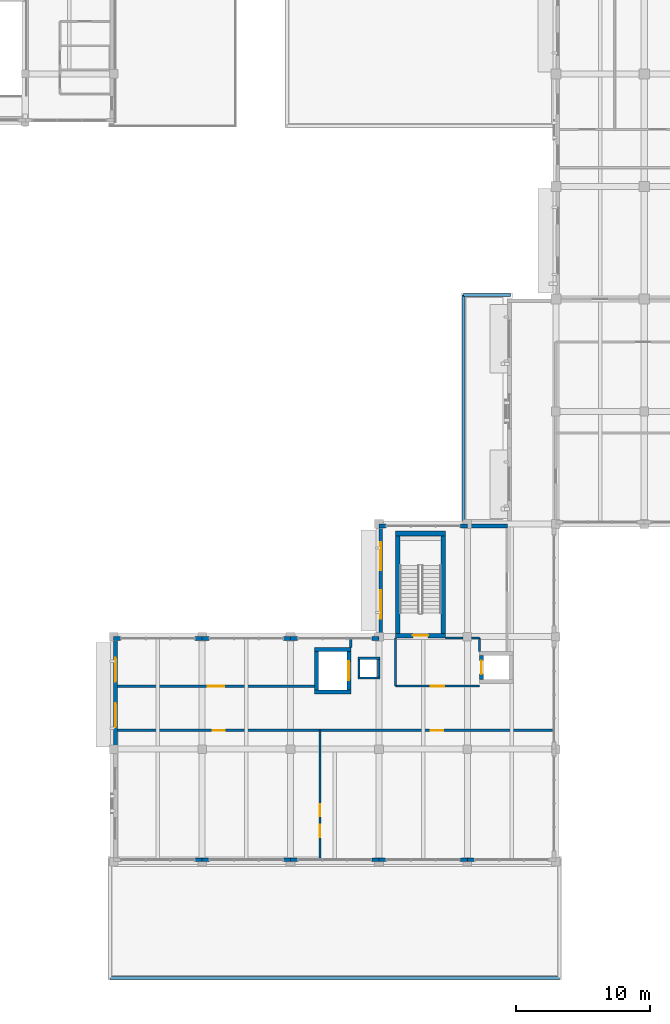
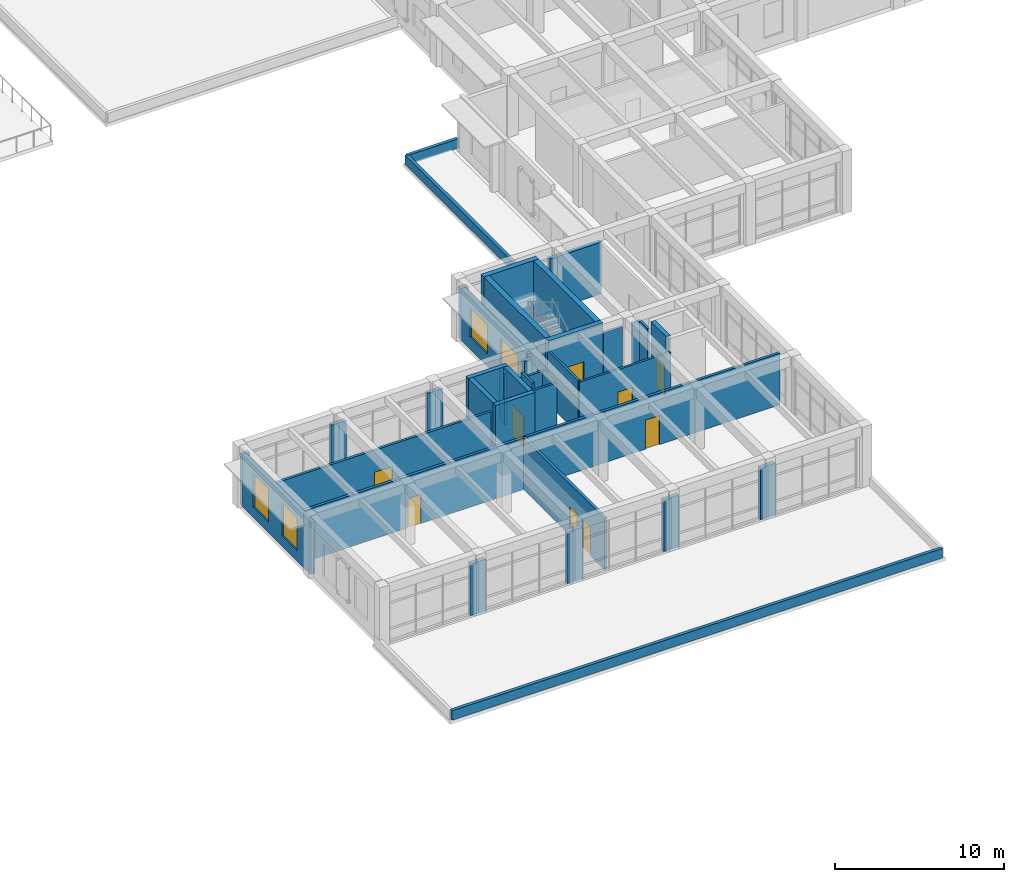
# One storey, part 29 of 50: 45 walls, 9 doors, 4 windows, 13 openings.
"""IFC4 building model written with IfcOpenShell, lengths in metres."""

import ifcopenshell
import ifcopenshell.guid

model = None  # the IFC model being written
_history = None  # IfcOwnerHistory: only IFC2X3 demands one
_inside = {}  # id of a spatial element -> (the spatial element, [elements in it])
_under = {}  # id of a project, library or spatial element -> (it, [spatial elements below it])
_declared = {}  # id of a project -> (the project, [libraries it declares])
_typed = {}  # id of a type object -> (the type object, [elements of that type])
_made_of = {}  # id of a material, layer set ... -> (it, [elements and type objects made of it])


def new_model(schema):
    """Start an empty IFC model of exactly this schema.

    Asked for "IFC4X3", IfcOpenShell would pick the latest addendum, in which some entities
    have other attributes; the version numbers below select the first issue.
    IFC2X3 requires an IfcOwnerHistory on every rooted entity: one is made here for all.
    """
    global model, _history
    if schema == "IFC4X3":
        model = ifcopenshell.file(schema_version=(4, 3, 0, 0))
    else:
        model = ifcopenshell.file(schema=schema)
    _inside.clear()
    _under.clear()
    _declared.clear()
    _typed.clear()
    _made_of.clear()
    _history = None
    if model.schema == "IFC2X3":
        org = make("IfcOrganization", Name="unknown")
        user = make(
            "IfcPersonAndOrganization",
            ThePerson=make("IfcPerson", FamilyName="unknown"),
            TheOrganization=org,
        )
        app = make(
            "IfcApplication",
            ApplicationDeveloper=org,
            Version="unknown",
            ApplicationFullName="unknown",
            ApplicationIdentifier="unknown",
        )
        _history = make(
            "IfcOwnerHistory",
            OwningUser=user,
            OwningApplication=app,
            ChangeAction="ADDED",
            CreationDate=0,
        )
    return model


def make(cls, **values):
    """One entity of the class cls with the attributes given. An attribute that is None is left unset."""
    return model.create_entity(
        cls, **{name: value for name, value in values.items() if value is not None}
    )


def rooted(cls, **values):
    """An entity with a GlobalId (a new one), such as an element, a storey or a relation."""
    return make(cls, GlobalId=ifcopenshell.guid.new(), OwnerHistory=_history, **values)


def si_unit(unit_type, name, prefix=None):
    """IfcSIUnit, for example si_unit("LENGTHUNIT", "METRE", prefix="MILLI")."""
    return make("IfcSIUnit", UnitType=unit_type, Prefix=prefix, Name=name)


def assignment(units):
    """IfcUnitAssignment: the units of a project."""
    return None if units is None else make("IfcUnitAssignment", Units=units)


def point(xyz):
    """IfcCartesianPoint."""
    return None if xyz is None else make("IfcCartesianPoint", Coordinates=xyz)


def direction(xyz):
    """IfcDirection."""
    return None if xyz is None else make("IfcDirection", DirectionRatios=xyz)


def frame(location, z_axis=None, x_axis=None):
    """IfcAxis2Placement3D, a coordinate frame: its origin and axes. An axis left out is left unset."""
    return make(
        "IfcAxis2Placement3D",
        Location=point(location),
        Axis=direction(z_axis),
        RefDirection=direction(x_axis),
    )


def frame_2d(location, x_axis=None):
    """IfcAxis2Placement2D, a coordinate frame in the plane: its origin and x axis."""
    return make(
        "IfcAxis2Placement2D", Location=point(location), RefDirection=direction(x_axis)
    )


def origin():
    """The frame at (0, 0, 0) with its axes left unset."""
    return frame((0.0, 0.0, 0.0))


def place(relative_to, where):
    """IfcLocalPlacement: puts the frame where relative to a parent placement (None: the world)."""
    return make(
        "IfcLocalPlacement", PlacementRelTo=relative_to, RelativePlacement=where
    )


def context(
    kind, dimensions, precision=None, world=None, true_north=None, identifier=None
):
    """IfcGeometricRepresentationContext, for example the 3D "Model" context."""
    return make(
        "IfcGeometricRepresentationContext",
        ContextIdentifier=identifier,
        ContextType=kind,
        CoordinateSpaceDimension=dimensions,
        Precision=precision,
        WorldCoordinateSystem=world,
        TrueNorth=true_north,
    )


def subcontext(parent, identifier, kind, view, scale=None):
    """IfcGeometricRepresentationSubContext, for example "Body" below "Model"."""
    return make(
        "IfcGeometricRepresentationSubContext",
        ContextIdentifier=identifier,
        ContextType=kind,
        ParentContext=parent,
        TargetScale=scale,
        TargetView=view,
    )


def project(units=None, contexts=None):
    """IfcProject with its units and contexts."""
    return rooted(
        "IfcProject",
        Name="project",
        RepresentationContexts=contexts,
        UnitsInContext=assignment(units),
    )


def spatial(cls, under=None, at=None, **own):
    """A site, building, storey or space (cls), placed at a placement, below another one or the project."""
    s = rooted(cls, ObjectPlacement=at, **own)
    if under is not None:
        _under.setdefault(under.id(), (under, []))[1].append(s)
    return s


def profile(cls, at=None, kind="AREA", **sizes):
    """A parametric profile (cls). Its sizes go by their IFC names, for example OverallWidth=200.0."""
    return make(cls, ProfileType=kind, Position=at, **sizes)


def rectangle(**sizes):
    """IfcRectangleProfileDef."""
    return profile("IfcRectangleProfileDef", **sizes)


def extrude(swept, where, along, depth):
    """IfcExtrudedAreaSolid: the profile swept, set in the frame where, extruded along a direction by depth."""
    return make(
        "IfcExtrudedAreaSolid",
        SweptArea=swept,
        Position=where,
        ExtrudedDirection=direction(along),
        Depth=depth,
    )


def shape(context_of_items, identifier, shape_type, items):
    """IfcShapeRepresentation: the items that make up one representation, for example the "Body"."""
    return make(
        "IfcShapeRepresentation",
        ContextOfItems=context_of_items,
        RepresentationIdentifier=identifier,
        RepresentationType=shape_type,
        Items=items,
    )


def material(Name=None, Category=None):
    """IfcMaterial."""
    return make("IfcMaterial", Name=Name, Category=Category)


def layer(
    of_material, thickness, ventilated=None, Name=None, Category=None, Priority=None
):
    """IfcMaterialLayer: one layer of a wall or slab, of a material (None: an air gap)."""
    return make(
        "IfcMaterialLayer",
        Material=of_material,
        LayerThickness=thickness,
        IsVentilated=ventilated,
        Name=Name,
        Category=Category,
        Priority=Priority,
    )


def layer_set(layers, Name=None):
    """IfcMaterialLayerSet."""
    return make("IfcMaterialLayerSet", MaterialLayers=layers, LayerSetName=Name)


def made_of(thing, what):
    """Note that an element or type object is made of a material, layer set ...; save() writes the relation."""
    if what is not None:
        _made_of.setdefault(what.id(), (what, []))[1].append(thing)
    return thing


def type_object(cls, material=None, **own):
    """A type object (cls), such as IfcWallType, which elements share."""
    return made_of(rooted(cls, **own), material)


def element(
    cls,
    number,
    at=None,
    inside=None,
    cuts=None,
    type_object=None,
    material=None,
    context=None,
    identifier="Body",
    shape_type=None,
    held_by="IfcProductDefinitionShape",
    body=None,
    shapes=None,
    **own,
):
    """One element of the class cls, such as IfcWall. Its Tag is "e" and its number.

    at: its placement. inside: the storey or other place that contains it. cuts: it is an
    opening in that element (IfcRelVoidsElement). A single representation is given by context,
    identifier, shape_type and body (its items); several are given by shapes. held_by: the class
    of the entity that holds the representations. save() writes the other relations.
    """
    e = rooted(cls, Tag="e%d" % number, ObjectPlacement=at, **own)
    if body is not None:
        shapes = [shape(context, identifier, shape_type, body)]
    if shapes is not None:
        e.Representation = make(held_by, Representations=shapes)
    if inside is not None:
        _inside.setdefault(inside.id(), (inside, []))[1].append(e)
    if cuts is not None:
        rooted(
            "IfcRelVoidsElement", RelatingBuildingElement=cuts, RelatedOpeningElement=e
        )
    if type_object is not None:
        _typed.setdefault(type_object.id(), (type_object, []))[1].append(e)
    return made_of(e, material)


def fill(opening, filler):
    """IfcRelFillsElement: the door or window that sits in an opening."""
    return rooted(
        "IfcRelFillsElement",
        RelatingOpeningElement=opening,
        RelatedBuildingElement=filler,
    )


def aggregate(whole, parts):
    """IfcRelAggregates: a whole, such as a stair, and the parts it consists of."""
    return rooted("IfcRelAggregates", RelatingObject=whole, RelatedObjects=parts)


def save(model, path):
    """Write the relations noted so far, then the file.

    IfcRelAggregates (storeys below a building ...), IfcRelContainedInSpatialStructure (elements
    in a storey), IfcRelDefinesByType, IfcRelAssociatesMaterial and IfcRelDeclares: one each for
    every whole, place, type object, material and project.
    """
    for whole, parts in _under.values():
        aggregate(whole, parts)
    for where, things in _inside.values():
        rooted(
            "IfcRelContainedInSpatialStructure",
            RelatedElements=things,
            RelatingStructure=where,
        )
    for kind, things in _typed.values():
        rooted("IfcRelDefinesByType", RelatedObjects=things, RelatingType=kind)
    for what, things in _made_of.values():
        rooted("IfcRelAssociatesMaterial", RelatedObjects=things, RelatingMaterial=what)
    for by, libraries in _declared.values():
        rooted("IfcRelDeclares", RelatingContext=by, RelatedDefinitions=libraries)
    model.write(path)


model = new_model("IFC4")

# Units and contexts
model_context = context("Model", 3, precision=1e-05, world=origin(), true_north=direction((0.0, 1.0)))
body_context = subcontext(model_context, "Body", "Model", "MODEL_VIEW")
ifc_project = project(units=[si_unit("LENGTHUNIT", "METRE"), si_unit("AREAUNIT", "SQUARE_METRE"), si_unit("VOLUMEUNIT", "CUBIC_METRE"), si_unit("PLANEANGLEUNIT", "RADIAN"), si_unit("MASSUNIT", "GRAM", prefix="KILO")], contexts=[model_context])

# Site, building, storey
site_placement = place(None, origin())
site = spatial("IfcSite", under=ifc_project, at=site_placement, CompositionType="ELEMENT")
building_placement = place(site_placement, origin())
building = spatial("IfcBuilding", under=site, at=building_placement, Name="Kolvaren Faculty of Natural Sciences", CompositionType="ELEMENT")
storey_placement = place(building_placement, frame((0.0, 0.0, 15.0)))
storey = spatial("IfcBuildingStorey", under=building, at=storey_placement, Name="L03", CompositionType="ELEMENT", Elevation=15.0)

# Wall, opening, door
ifc_material_1 = material(Name="Concrete C40/50", Category="concrete")
ifc_layer_1 = layer(ifc_material_1, 0.35009765625)
ifc_layer_set_1 = layer_set([ifc_layer_1], Name="Concrete C40/50")
wall_type_1 = type_object("IfcWallType", Name="CoreShearWall_350", PredefinedType="SHEAR", material=ifc_layer_set_1)
wall_1_placement = place(storey_placement, frame((126.824951171875, 33.875, 0.0), z_axis=(0.0, 0.0, 1.0), x_axis=(1.0, 0.0, 0.0)))
wall_1 = element("IfcWall", 1, at=wall_1_placement, inside=storey, type_object=wall_type_1, Name="L03 CORE-C3 stair shear wall S", PredefinedType="SHEAR", context=body_context, shape_type="SweptSolid", body=[
    extrude(rectangle(XDim=3.75, YDim=0.35009765625, at=frame_2d((1.875, 0.0))), origin(), (0.0, 0.0, 1.0), 4.5),
])
opening_1_placement = place(wall_1_placement, frame((1.300048828125, 0.0, 0.0)))
opening_1 = element("IfcOpeningElement", 2, at=opening_1_placement, cuts=wall_1, Name="Opening FD90", PredefinedType="OPENING", context=body_context, shape_type="SweptSolid", body=[
    extrude(rectangle(XDim=1.14990234375, YDim=2.14990234375, at=frame_2d((0.574951171875, 1.074951171875))), frame((0.0, 0.18505859375, 0.0), z_axis=(0.0, -1.0, 0.0), x_axis=(1.0, 0.0, 0.0)), (0.0, 0.0, 1.0), 0.3701171875),
])
ifc_material_2 = material(Name="Fire-rated solid-core hardwood door leaf in steel frame", Category="steel")
door_type_1 = type_object("IfcDoorType", Name="StairCoreFireDoor_1150x2150", OperationType="NOTDEFINED", PredefinedType="DOOR", material=ifc_material_2)
door_1_placement = place(opening_1_placement, origin())
door_1 = element("IfcDoor", 3, at=door_1_placement, inside=storey, type_object=door_type_1, Name="D-ST-ST-3-L03", OperationType="SINGLE_SWING_LEFT", OverallHeight=2.14990234375, OverallWidth=1.14990234375, PredefinedType="DOOR", context=body_context, shape_type="SweptSolid", body=[
    extrude(rectangle(XDim=1.14990234375, YDim=2.14990234375, at=frame_2d((0.574951171875, 1.074951171875))), frame((0.0, 0.02490234375, 0.0), z_axis=(0.0, -1.0, 0.0), x_axis=(1.0, 0.0, 0.0)), (0.0, 0.0, 1.0), 0.050048828125),
])
fill(opening_1, door_1)

# Walls
wall_2_placement = place(storey_placement, frame((126.824951171875, 41.5, 0.0), z_axis=(0.0, 0.0, 1.0), x_axis=(1.0, 0.0, 0.0)))
element("IfcWall", 4, at=wall_2_placement, inside=storey, type_object=wall_type_1, Name="L03 CORE-C3 stair shear wall N", PredefinedType="SHEAR", context=body_context, shape_type="SweptSolid", body=[
    extrude(rectangle(XDim=3.75, YDim=0.35009765625, at=frame_2d((1.875, 0.0))), origin(), (0.0, 0.0, 1.0), 4.5),
])
for number, where, z_axis, x_axis, name in (
    (5, (127.0, 34.050048828125, 0.0), (0.0, 0.0, 1.0), (0.0, 1.0, 0.0), "L03 CORE-C3 stair shear wall W"),
    (6, (130.39990234375, 34.050048828125, 0.0), (0.0, 0.0, 1.0), (0.0, 1.0, 0.0), "L03 CORE-C3 stair shear wall E"),
):
    element("IfcWall", number, at=place(storey_placement, frame(where, z_axis=z_axis, x_axis=x_axis)), inside=storey, type_object=wall_type_1, Name=name, PredefinedType="SHEAR", context=body_context, shape_type="SweptSolid", body=[
        extrude(rectangle(XDim=7.27490234375, YDim=0.35009765625, at=frame_2d((3.637451171875, 0.0))), origin(), (0.0, 0.0, 1.0), 4.5),
    ])

# Wall, openings, windows
ifc_material_3 = material(Name="Precast concrete C35/45", Category="concrete")
ifc_layer_2 = layer(ifc_material_3, 0.280029296875)
ifc_layer_set_2 = layer_set([ifc_layer_2], Name="Precast concrete C35/45")
wall_type_2 = type_object("IfcWallType", Name="ExteriorPrecastWall_280", PredefinedType="STANDARD", material=ifc_layer_set_2)
wall_3_placement = place(storey_placement, frame((125.739990234375, 34.080078125, 0.0), z_axis=(0.0, 0.0, 1.0), x_axis=(0.0, 1.0, 0.0)))
wall_3 = element("IfcWall", 7, at=wall_3_placement, inside=storey, type_object=wall_type_2, Name="L03 exterior masonry wall EW-280 (498)", PredefinedType="STANDARD", context=body_context, shape_type="SweptSolid", body=[
    extrude(rectangle(XDim=7.83984375, YDim=0.280029296875, at=frame_2d((3.919921875, 0.0))), origin(), (0.0, 0.0, 1.0), 3.735107421875),
])
opening_2_placement = place(wall_3_placement, frame((1.06689453125, 0.0, 0.89990234375)))
opening_2 = element("IfcOpeningElement", 8, at=opening_2_placement, cuts=wall_3, Name="Opening WIN-07", PredefinedType="OPENING", context=body_context, shape_type="SweptSolid", body=[
    extrude(rectangle(XDim=2.10009765625, YDim=2.10009765625, at=frame_2d((1.050048828125, 1.050048828125))), frame((0.0, 0.14990234375, 0.0), z_axis=(0.0, -1.0, 0.0), x_axis=(1.0, 0.0, 0.0)), (0.0, 0.0, 1.0), 0.300048828125),
])
opening_3_placement = place(wall_3_placement, frame((4.673095703125, 0.0, 0.89990234375)))
opening_3 = element("IfcOpeningElement", 9, at=opening_3_placement, cuts=wall_3, Name="Opening WIN-07", PredefinedType="OPENING", context=body_context, shape_type="SweptSolid", body=[
    extrude(rectangle(XDim=2.10009765625, YDim=2.10009765625, at=frame_2d((1.050048828125, 1.050048828125))), frame((0.0, 0.14990234375, 0.0), z_axis=(0.0, -1.0, 0.0), x_axis=(1.0, 0.0, 0.0)), (0.0, 0.0, 1.0), 0.300048828125),
])
ifc_material_4 = material(Name="Double low-E solar control insulated glazing", Category="glass")
window_type_1 = type_object("IfcWindowType", Name="AluWindow_WIN07_2100x2100", PartitioningType="SINGLE_PANEL", PredefinedType="WINDOW", material=ifc_material_4)
window_1_placement = place(opening_2_placement, origin())
window_1 = element("IfcWindow", 10, at=window_1_placement, inside=storey, type_object=window_type_1, Name="WIN-L03-0318", OverallHeight=2.10009765625, OverallWidth=2.10009765625, PartitioningType="SINGLE_PANEL", PredefinedType="WINDOW", context=body_context, shape_type="SweptSolid", body=[
    extrude(rectangle(XDim=2.10009765625, YDim=2.10009765625, at=frame_2d((1.050048828125, 1.050048828125))), frame((0.0, 0.030029296875, 0.0), z_axis=(0.0, -1.0, 0.0), x_axis=(1.0, 0.0, 0.0)), (0.0, 0.0, 1.0), 0.06005859375),
])
fill(opening_2, window_1)
window_2_placement = place(opening_3_placement, origin())
window_2 = element("IfcWindow", 11, at=window_2_placement, inside=storey, type_object=window_type_1, Name="WIN-L03-0319", OverallHeight=2.10009765625, OverallWidth=2.10009765625, PartitioningType="SINGLE_PANEL", PredefinedType="WINDOW", context=body_context, shape_type="SweptSolid", body=[
    extrude(rectangle(XDim=2.10009765625, YDim=2.10009765625, at=frame_2d((1.050048828125, 1.050048828125))), frame((0.0, 0.030029296875, 0.0), z_axis=(0.0, -1.0, 0.0), x_axis=(1.0, 0.0, 0.0)), (0.0, 0.0, 1.0), 0.06005859375),
])
fill(opening_3, window_2)

# Walls
for number, where, z_axis, x_axis, name in (
    (12, (125.60009765625, 42.06005859375, 0.0), (0.0, 0.0, 1.0), (1.0, 0.0, 0.0), "L03 curtain-wall pier stub 499"),
    (13, (131.679931640625, 42.06005859375, 0.0), (0.0, 0.0, 1.0), (1.0, 0.0, 0.0), "L03 curtain-wall pier stub 500"),
):
    element("IfcWall", number, at=place(storey_placement, frame(where, z_axis=z_axis, x_axis=x_axis)), inside=storey, type_object=wall_type_2, Name=name, PredefinedType="STANDARD", context=body_context, shape_type="SweptSolid", body=[
        extrude(rectangle(XDim=0.52001953125, YDim=0.280029296875, at=frame_2d((0.260009765625, 0.0))), origin(), (0.0, 0.0, 1.0), 3.735107421875),
    ])
wall_4_placement = place(storey_placement, frame((132.199951171875, 42.06005859375, 0.0), z_axis=(0.0, 0.0, 1.0), x_axis=(1.0, 0.0, 0.0)))
element("IfcWall", 14, at=wall_4_placement, inside=storey, type_object=wall_type_2, Name="L03 exterior masonry wall EW-280 (501)", PredefinedType="STANDARD", context=body_context, shape_type="SweptSolid", body=[
    extrude(rectangle(XDim=3.0, YDim=0.280029296875, at=frame_2d((1.5, 0.0))), origin(), (0.0, 0.0, 1.0), 3.735107421875),
])
for number, where, z_axis, x_axis, name in (
    (15, (132.719970703125, 17.139892578125, 0.0), (0.0, 0.0, 1.0), (-1.0, 0.0, 0.0), "L03 curtain-wall pier stub 542"),
    (16, (132.199951171875, 17.139892578125, 0.0), (0.0, 0.0, 1.0), (-1.0, 0.0, 0.0), "L03 curtain-wall pier stub 543"),
    (17, (126.1201171875, 17.139892578125, 0.0), (0.0, 0.0, 1.0), (-1.0, 0.0, 0.0), "L03 curtain-wall pier stub 544"),
    (18, (125.60009765625, 17.139892578125, 0.0), (0.0, 0.0, 1.0), (-1.0, 0.0, 0.0), "L03 curtain-wall pier stub 545"),
    (19, (119.52001953125, 17.139892578125, 0.0), (0.0, 0.0, 1.0), (-1.0, 0.0, 0.0), "L03 curtain-wall pier stub 546"),
    (20, (119.0, 17.139892578125, 0.0), (0.0, 0.0, 1.0), (-1.0, 0.0, 0.0), "L03 curtain-wall pier stub 547"),
    (21, (112.919921875, 17.139892578125, 0.0), (0.0, 0.0, 1.0), (-1.0, 0.0, 0.0), "L03 curtain-wall pier stub 548"),
    (22, (112.39990234375, 17.139892578125, 0.0), (0.0, 0.0, 1.0), (-1.0, 0.0, 0.0), "L03 curtain-wall pier stub 549"),
):
    element("IfcWall", number, at=place(storey_placement, frame(where, z_axis=z_axis, x_axis=x_axis)), inside=storey, type_object=wall_type_2, Name=name, PredefinedType="STANDARD", context=body_context, shape_type="SweptSolid", body=[
        extrude(rectangle(XDim=0.52001953125, YDim=0.280029296875, at=frame_2d((0.260009765625, 0.0))), origin(), (0.0, 0.0, 1.0), 3.735107421875),
    ])

# Wall, openings, windows
wall_5_placement = place(storey_placement, frame((105.93994140625, 25.39990234375, 0.0), z_axis=(0.0, 0.0, 1.0), x_axis=(0.0, 1.0, 0.0)))
wall_5 = element("IfcWall", 23, at=wall_5_placement, inside=storey, type_object=wall_type_2, Name="L03 exterior masonry wall EW-280 (552)", PredefinedType="STANDARD", context=body_context, shape_type="SweptSolid", body=[
    extrude(rectangle(XDim=8.1201171875, YDim=0.280029296875, at=frame_2d((4.06005859375, 0.0))), origin(), (0.0, 0.0, 1.0), 3.784912109375),
])
opening_4_placement = place(wall_5_placement, frame((1.639892578125, 0.0, 0.75)))
opening_4 = element("IfcOpeningElement", 24, at=opening_4_placement, cuts=wall_5, Name="Opening WIN-21", PredefinedType="OPENING", context=body_context, shape_type="SweptSolid", body=[
    extrude(rectangle(XDim=1.800048828125, YDim=2.39990234375, at=frame_2d((0.89990234375, 1.199951171875))), frame((0.0, 0.14990234375, 0.0), z_axis=(0.0, -1.0, 0.0), x_axis=(1.0, 0.0, 0.0)), (0.0, 0.0, 1.0), 0.300048828125),
])
opening_5_placement = place(wall_5_placement, frame((5.027587890625, 0.0, 0.75)))
opening_5 = element("IfcOpeningElement", 25, at=opening_5_placement, cuts=wall_5, Name="Opening WIN-21", PredefinedType="OPENING", context=body_context, shape_type="SweptSolid", body=[
    extrude(rectangle(XDim=1.800048828125, YDim=2.39990234375, at=frame_2d((0.89990234375, 1.199951171875))), frame((0.0, 0.14990234375, 0.0), z_axis=(0.0, -1.0, 0.0), x_axis=(1.0, 0.0, 0.0)), (0.0, 0.0, 1.0), 0.300048828125),
])
window_type_2 = type_object("IfcWindowType", Name="AluWindow_WIN21_1800x2400", PartitioningType="SINGLE_PANEL", PredefinedType="WINDOW", material=ifc_material_4)
window_3_placement = place(opening_4_placement, origin())
window_3 = element("IfcWindow", 26, at=window_3_placement, inside=storey, type_object=window_type_2, Name="WIN-L03-0336", OverallHeight=2.39990234375, OverallWidth=1.800048828125, PartitioningType="SINGLE_PANEL", PredefinedType="WINDOW", context=body_context, shape_type="SweptSolid", body=[
    extrude(rectangle(XDim=1.800048828125, YDim=2.39990234375, at=frame_2d((0.89990234375, 1.199951171875))), frame((0.0, 0.030029296875, 0.0), z_axis=(0.0, -1.0, 0.0), x_axis=(1.0, 0.0, 0.0)), (0.0, 0.0, 1.0), 0.06005859375),
])
fill(opening_4, window_3)
window_4_placement = place(opening_5_placement, origin())
window_4 = element("IfcWindow", 27, at=window_4_placement, inside=storey, type_object=window_type_2, Name="WIN-L03-0337", OverallHeight=2.39990234375, OverallWidth=1.800048828125, PartitioningType="SINGLE_PANEL", PredefinedType="WINDOW", context=body_context, shape_type="SweptSolid", body=[
    extrude(rectangle(XDim=1.800048828125, YDim=2.39990234375, at=frame_2d((0.89990234375, 1.199951171875))), frame((0.0, 0.030029296875, 0.0), z_axis=(0.0, -1.0, 0.0), x_axis=(1.0, 0.0, 0.0)), (0.0, 0.0, 1.0), 0.06005859375),
])
fill(opening_5, window_4)

# Walls
for number, where, z_axis, x_axis, name in (
    (28, (105.800048828125, 33.659912109375, 0.0), (0.0, 0.0, 1.0), (1.0, 0.0, 0.0), "L03 curtain-wall pier stub 553"),
    (29, (111.8798828125, 33.659912109375, 0.0), (0.0, 0.0, 1.0), (1.0, 0.0, 0.0), "L03 curtain-wall pier stub 554"),
    (30, (112.39990234375, 33.659912109375, 0.0), (0.0, 0.0, 1.0), (1.0, 0.0, 0.0), "L03 curtain-wall pier stub 555"),
    (31, (118.47998046875, 33.659912109375, 0.0), (0.0, 0.0, 1.0), (1.0, 0.0, 0.0), "L03 curtain-wall pier stub 556"),
    (32, (119.0, 33.659912109375, 0.0), (0.0, 0.0, 1.0), (1.0, 0.0, 0.0), "L03 curtain-wall pier stub 557"),
    (33, (125.080078125, 33.659912109375, 0.0), (0.0, 0.0, 1.0), (1.0, 0.0, 0.0), "L03 curtain-wall pier stub 558"),
):
    element("IfcWall", number, at=place(storey_placement, frame(where, z_axis=z_axis, x_axis=x_axis)), inside=storey, type_object=wall_type_2, Name=name, PredefinedType="STANDARD", context=body_context, shape_type="SweptSolid", body=[
        extrude(rectangle(XDim=0.52001953125, YDim=0.280029296875, at=frame_2d((0.260009765625, 0.0))), origin(), (0.0, 0.0, 1.0), 3.735107421875),
    ])

# Wall, opening, door
ifc_material_5 = material(Name="Acoustic mineral-wool insulated gypsum partition")
ifc_layer_3 = layer(ifc_material_5, 0.179931640625)
ifc_layer_set_3 = layer_set([ifc_layer_3], Name="Acoustic mineral-wool insulated gypsum partition")
wall_type_3 = type_object("IfcWallType", Name="LabPartitionWall_180", PredefinedType="PARTITIONING", material=ifc_layer_set_3)
wall_6_placement = place(storey_placement, frame((121.199951171875, 26.800048828125, 0.0), z_axis=(0.0, 0.0, 1.0), x_axis=(1.0, 0.0, 0.0)))
wall_6 = element("IfcWall", 34, at=wall_6_placement, inside=storey, type_object=wall_type_3, Name="L03 interior partition PW-180", PredefinedType="PARTITIONING", context=body_context, shape_type="SweptSolid", body=[
    extrude(rectangle(XDim=17.43994140625, YDim=0.179931640625, at=frame_2d((8.719970703125, 0.0))), origin(), (0.0, 0.0, 1.0), 3.735107421875),
])
opening_6_placement = place(wall_6_placement, frame((8.2548828125, 0.0, 0.0)))
opening_6 = element("IfcOpeningElement", 35, at=opening_6_placement, cuts=wall_6, Name="Opening ID-13", PredefinedType="OPENING", context=body_context, shape_type="SweptSolid", body=[
    extrude(rectangle(XDim=0.929931640625, YDim=2.10009765625, at=frame_2d((0.46484375, 1.050048828125))), frame((0.0, 0.099853515625, 0.0), z_axis=(0.0, -1.0, 0.0), x_axis=(1.0, 0.0, 0.0)), (0.0, 0.0, 1.0), 0.199951171875),
])
ifc_material_6 = material(Name="Solid-core hardwood veneer door leaf in steel frame", Category="steel")
door_type_2 = type_object("IfcDoorType", Name="InteriorRoomDoor_930x2100", OperationType="NOTDEFINED", PredefinedType="DOOR", material=ifc_material_6)
door_2_placement = place(opening_6_placement, origin())
door_2 = element("IfcDoor", 36, at=door_2_placement, inside=storey, type_object=door_type_2, Name="D-L03-0246", OperationType="SINGLE_SWING_LEFT", OverallHeight=2.10009765625, OverallWidth=0.929931640625, PredefinedType="DOOR", context=body_context, shape_type="SweptSolid", body=[
    extrude(rectangle(XDim=0.929931640625, YDim=2.10009765625, at=frame_2d((0.46484375, 1.050048828125))), frame((0.0, 0.02490234375, 0.0), z_axis=(0.0, -1.0, 0.0), x_axis=(1.0, 0.0, 0.0)), (0.0, 0.0, 1.0), 0.050048828125),
])
fill(opening_6, door_2)

ifc_layer_4 = layer(ifc_material_5, 0.18505859375)
ifc_layer_set_4 = layer_set([ifc_layer_4], Name="Acoustic mineral-wool insulated gypsum partition")
wall_type_4 = type_object("IfcWallType", Name="LabPartitionWall_185", PredefinedType="PARTITIONING", material=ifc_layer_set_4)
wall_7_placement = place(storey_placement, frame((106.08203125, 26.800048828125, 0.0), z_axis=(0.0, 0.0, 1.0), x_axis=(1.0, 0.0, 0.0)))
wall_7 = element("IfcWall", 37, at=wall_7_placement, inside=storey, type_object=wall_type_4, Name="L03 interior partition PW-185", PredefinedType="PARTITIONING", context=body_context, shape_type="SweptSolid", body=[
    extrude(rectangle(XDim=15.117919921875, YDim=0.18505859375, at=frame_2d((7.55908203125, 0.0))), origin(), (0.0, 0.0, 1.0), 3.735107421875),
])
opening_7_placement = place(wall_7_placement, frame((7.10888671875, 0.0, 0.0)))
opening_7 = element("IfcOpeningElement", 38, at=opening_7_placement, cuts=wall_7, Name="Opening ID-12", PredefinedType="OPENING", context=body_context, shape_type="SweptSolid", body=[
    extrude(rectangle(XDim=0.89990234375, YDim=2.10009765625, at=frame_2d((0.449951171875, 1.050048828125))), frame((0.0, 0.1025390625, 0.0), z_axis=(0.0, -1.0, 0.0), x_axis=(1.0, 0.0, 0.0)), (0.0, 0.0, 1.0), 0.205078125),
])
door_type_3 = type_object("IfcDoorType", Name="InteriorRoomDoor_900x2100", OperationType="NOTDEFINED", PredefinedType="DOOR", material=ifc_material_6)
door_3_placement = place(opening_7_placement, origin())
door_3 = element("IfcDoor", 39, at=door_3_placement, inside=storey, type_object=door_type_3, Name="D-L03-0244", OperationType="SINGLE_SWING_LEFT", OverallHeight=2.10009765625, OverallWidth=0.89990234375, PredefinedType="DOOR", context=body_context, shape_type="SweptSolid", body=[
    extrude(rectangle(XDim=0.89990234375, YDim=2.10009765625, at=frame_2d((0.449951171875, 1.050048828125))), frame((0.0, 0.02490234375, 0.0), z_axis=(0.0, -1.0, 0.0), x_axis=(1.0, 0.0, 0.0)), (0.0, 0.0, 1.0), 0.050048828125),
])
fill(opening_7, door_3)

# Wall, openings, doors
wall_8_placement = place(storey_placement, frame((121.199951171875, 26.800048828125, 0.0), z_axis=(0.0, 0.0, 1.0), x_axis=(0.0, -1.0, 0.0)))
wall_8 = element("IfcWall", 40, at=wall_8_placement, inside=storey, type_object=wall_type_4, Name="L03 interior partition PW-185", PredefinedType="PARTITIONING", context=body_context, shape_type="SweptSolid", body=[
    extrude(rectangle(XDim=9.64013671875, YDim=0.18505859375, at=frame_2d((4.820068359375, 0.0))), origin(), (0.0, 0.0, 1.0), 3.735107421875),
])
opening_8_placement = place(wall_8_placement, frame((5.52685546875, 0.0, 0.0)))
opening_8 = element("IfcOpeningElement", 41, at=opening_8_placement, cuts=wall_8, Name="Opening ID-12", PredefinedType="OPENING", context=body_context, shape_type="SweptSolid", body=[
    extrude(rectangle(XDim=0.89990234375, YDim=2.10009765625, at=frame_2d((0.449951171875, 1.050048828125))), frame((0.0, 0.1025390625, 0.0), z_axis=(0.0, -1.0, 0.0), x_axis=(1.0, 0.0, 0.0)), (0.0, 0.0, 1.0), 0.205078125),
])
opening_9_placement = place(wall_8_placement, frame((7.05419921875, 0.0, 0.0)))
opening_9 = element("IfcOpeningElement", 42, at=opening_9_placement, cuts=wall_8, Name="Opening ID-13", PredefinedType="OPENING", context=body_context, shape_type="SweptSolid", body=[
    extrude(rectangle(XDim=0.929931640625, YDim=2.10009765625, at=frame_2d((0.46484375, 1.050048828125))), frame((0.0, 0.1025390625, 0.0), z_axis=(0.0, -1.0, 0.0), x_axis=(1.0, 0.0, 0.0)), (0.0, 0.0, 1.0), 0.205078125),
])
door_4_placement = place(opening_8_placement, origin())
door_4 = element("IfcDoor", 43, at=door_4_placement, inside=storey, type_object=door_type_3, Name="D-L03-0245", OperationType="SINGLE_SWING_RIGHT", OverallHeight=2.10009765625, OverallWidth=0.89990234375, PredefinedType="DOOR", context=body_context, shape_type="SweptSolid", body=[
    extrude(rectangle(XDim=0.89990234375, YDim=2.10009765625, at=frame_2d((0.449951171875, 1.050048828125))), frame((0.0, 0.02490234375, 0.0), z_axis=(0.0, -1.0, 0.0), x_axis=(1.0, 0.0, 0.0)), (0.0, 0.0, 1.0), 0.050048828125),
])
fill(opening_8, door_4)
door_5_placement = place(opening_9_placement, origin())
door_5 = element("IfcDoor", 44, at=door_5_placement, inside=storey, type_object=door_type_2, Name="D-L03-0247", OperationType="SINGLE_SWING_RIGHT", OverallHeight=2.10009765625, OverallWidth=0.929931640625, PredefinedType="DOOR", context=body_context, shape_type="SweptSolid", body=[
    extrude(rectangle(XDim=0.929931640625, YDim=2.10009765625, at=frame_2d((0.46484375, 1.050048828125))), frame((0.0, 0.02490234375, 0.0), z_axis=(0.0, -1.0, 0.0), x_axis=(1.0, 0.0, 0.0)), (0.0, 0.0, 1.0), 0.050048828125),
])
fill(opening_9, door_5)

# Walls
ifc_layer_5 = layer(ifc_material_3, 0.219970703125)
ifc_layer_set_5 = layer_set([ifc_layer_5], Name="Precast concrete C35/45")
wall_type_5 = type_object("IfcWallType", Name="ParapetUpstandWall_220", PredefinedType="PARAPET", material=ifc_layer_set_5)
wall_9_placement = place(storey_placement, frame((139.080078125, 8.320068359375, 0.0), z_axis=(0.0, 0.0, 1.0), x_axis=(-1.0, 0.0, 0.0)))
element("IfcWall", 45, at=wall_9_placement, inside=storey, type_object=wall_type_5, Name="L03 architectural sandstone roof parapet 39", PredefinedType="PARAPET", context=body_context, shape_type="SweptSolid", body=[
    extrude(rectangle(XDim=33.56005859375, YDim=0.219970703125, at=frame_2d((16.780029296875, 0.0))), origin(), (0.0, 0.0, 1.0), 0.679931640625),
])
wall_10_placement = place(storey_placement, frame((131.919921875, 42.449951171875, 0.0), z_axis=(0.0, 0.0, 1.0), x_axis=(0.0, 1.0, 0.0)))
element("IfcWall", 46, at=wall_10_placement, inside=storey, type_object=wall_type_5, Name="L03 architectural sandstone roof parapet 44", PredefinedType="PARAPET", context=body_context, shape_type="SweptSolid", body=[
    extrude(rectangle(XDim=16.830078125, YDim=0.219970703125, at=frame_2d((8.4150390625, 0.0))), origin(), (0.0, 0.0, 1.0), 0.679931640625),
])
wall_11_placement = place(storey_placement, frame((131.919921875, 59.280029296875, 0.0), z_axis=(0.0, 0.0, 1.0), x_axis=(1.0, 0.0, 0.0)))
element("IfcWall", 47, at=wall_11_placement, inside=storey, type_object=wall_type_5, Name="L03 architectural sandstone roof parapet 45", PredefinedType="PARAPET", context=body_context, shape_type="SweptSolid", body=[
    extrude(rectangle(XDim=3.510009765625, YDim=0.219970703125, at=frame_2d((1.7548828125, 0.0))), origin(), (0.0, 0.0, 1.0), 0.679931640625),
])
ifc_material_7 = material(Name="Double fire-rated gypsum board on 100 mm steel stud", Category="steel")
ifc_layer_6 = layer(ifc_material_7, 0.14990234375)
ifc_layer_set_6 = layer_set([ifc_layer_6], Name="Double fire-rated gypsum board on 100 mm steel stud")
wall_type_6 = type_object("IfcWallType", Name="RatedCorridorWall_150", PredefinedType="PARTITIONING", material=ifc_layer_set_6)
wall_12_placement = place(storey_placement, frame((130.574951171875, 33.699951171875, 0.0), z_axis=(0.0, 0.0, 1.0), x_axis=(1.0, 0.0, 0.0)))
element("IfcWall", 48, at=wall_12_placement, inside=storey, type_object=wall_type_6, Name="L03 interior partition LW-150", PredefinedType="PARTITIONING", context=body_context, shape_type="SweptSolid", body=[
    extrude(rectangle(XDim=1.300048828125, YDim=0.14990234375, at=frame_2d((0.64990234375, 0.0))), origin(), (0.0, 0.0, 1.0), 3.8349609375),
])
wall_13_placement = place(storey_placement, frame((132.52490234375, 33.699951171875, 0.0), z_axis=(0.0, 0.0, 1.0), x_axis=(1.0, 0.0, 0.0)))
element("IfcWall", 49, at=wall_13_placement, inside=storey, type_object=wall_type_6, Name="L03 interior partition LW-150", PredefinedType="PARTITIONING", context=body_context, shape_type="SweptSolid", body=[
    extrude(rectangle(XDim=0.5751953125, YDim=0.14990234375, at=frame_2d((0.28759765625, 0.0))), origin(), (0.0, 0.0, 1.0), 3.8349609375),
])
wall_14_placement = place(storey_placement, frame((133.10009765625, 33.699951171875, 0.0), z_axis=(0.0, 0.0, 1.0), x_axis=(0.0, -1.0, 0.0)))
element("IfcWall", 50, at=wall_14_placement, inside=storey, type_object=wall_type_6, Name="L03 interior partition LW-150", PredefinedType="PARTITIONING", context=body_context, shape_type="SweptSolid", body=[
    extrude(rectangle(XDim=0.998046875, YDim=0.14990234375, at=frame_2d((0.4990234375, 0.0))), origin(), (0.0, 0.0, 1.0), 3.8349609375),
])

# Wall, opening, door
wall_15_placement = place(storey_placement, frame((133.10009765625, 30.10009765625, 0.0), z_axis=(0.0, 0.0, 1.0), x_axis=(-1.0, 0.0, 0.0)))
wall_15 = element("IfcWall", 51, at=wall_15_placement, inside=storey, type_object=wall_type_6, Name="L03 interior partition LW-150", PredefinedType="PARTITIONING", context=body_context, shape_type="SweptSolid", body=[
    extrude(rectangle(XDim=6.25, YDim=0.14990234375, at=frame_2d((3.125, 0.0))), origin(), (0.0, 0.0, 1.0), 3.735107421875),
])
opening_10_placement = place(wall_15_placement, frame((2.625, 0.0, 0.0)))
opening_10 = element("IfcOpeningElement", 52, at=opening_10_placement, cuts=wall_15, Name="Opening FD30", PredefinedType="OPENING", context=body_context, shape_type="SweptSolid", body=[
    extrude(rectangle(XDim=1.0, YDim=2.10009765625, at=frame_2d((0.5, 1.050048828125))), frame((0.0, 0.0849609375, 0.0), z_axis=(0.0, -1.0, 0.0), x_axis=(1.0, 0.0, 0.0)), (0.0, 0.0, 1.0), 0.169921875),
])
door_type_4 = type_object("IfcDoorType", Name="CorridorFireDoor_1000x2100", OperationType="NOTDEFINED", PredefinedType="DOOR", material=ifc_material_2)
door_6_placement = place(opening_10_placement, origin())
door_6 = element("IfcDoor", 53, at=door_6_placement, inside=storey, type_object=door_type_4, Name="D-L03-0224", OperationType="SINGLE_SWING_LEFT", OverallHeight=2.10009765625, OverallWidth=1.0, PredefinedType="DOOR", context=body_context, shape_type="SweptSolid", body=[
    extrude(rectangle(XDim=1.0, YDim=2.10009765625, at=frame_2d((0.5, 1.050048828125))), frame((0.0, 0.02490234375, 0.0), z_axis=(0.0, -1.0, 0.0), x_axis=(1.0, 0.0, 0.0)), (0.0, 0.0, 1.0), 0.050048828125),
])
fill(opening_10, door_6)

# Walls
wall_16_placement = place(storey_placement, frame((126.85009765625, 30.10009765625, 0.0), z_axis=(0.0, 0.0, 1.0), x_axis=(0.0, 1.0, 0.0)))
element("IfcWall", 54, at=wall_16_placement, inside=storey, type_object=wall_type_6, Name="L03 interior partition LW-150", PredefinedType="PARTITIONING", context=body_context, shape_type="SweptSolid", body=[
    extrude(rectangle(XDim=3.597900390625, YDim=0.14990234375, at=frame_2d((1.798828125, 0.0))), origin(), (0.0, 0.0, 1.0), 3.8349609375),
])
ifc_layer_7 = layer(ifc_material_7, 0.159912109375)
ifc_layer_set_7 = layer_set([ifc_layer_7], Name="Double fire-rated gypsum board on 100 mm steel stud")
wall_type_7 = type_object("IfcWallType", Name="RiserShaftWall_160", PredefinedType="PARTITIONING", material=ifc_layer_set_7)
for number, where, z_axis, x_axis, name in (
    (55, (124.0400390625, 30.719970703125, 0.0), (0.0, 0.0, 1.0), (1.0, 0.0, 0.0), "L03 service riser shaft wall S"),
    (56, (124.0400390625, 32.179931640625, 0.0), (0.0, 0.0, 1.0), (1.0, 0.0, 0.0), "L03 service riser shaft wall N"),
):
    element("IfcWall", number, at=place(storey_placement, frame(where, z_axis=z_axis, x_axis=x_axis)), inside=storey, type_object=wall_type_7, Name=name, PredefinedType="PARTITIONING", context=body_context, shape_type="SweptSolid", body=[
        extrude(rectangle(XDim=1.619873046875, YDim=0.159912109375, at=frame_2d((0.81005859375, 0.0))), origin(), (0.0, 0.0, 1.0), 3.735107421875),
    ])
wall_17_placement = place(storey_placement, frame((124.1201171875, 30.800048828125, 0.0), z_axis=(0.0, 0.0, 1.0), x_axis=(0.0, 1.0, 0.0)))
element("IfcWall", 57, at=wall_17_placement, inside=storey, type_object=wall_type_7, Name="L03 service riser shaft wall W", PredefinedType="PARTITIONING", context=body_context, shape_type="SweptSolid", body=[
    extrude(rectangle(XDim=1.300048828125, YDim=0.159912109375, at=frame_2d((0.64990234375, 0.0))), origin(), (0.0, 0.0, 1.0), 4.195068359375),
])
wall_18_placement = place(storey_placement, frame((125.580078125, 30.800048828125, 0.0), z_axis=(0.0, 0.0, 1.0), x_axis=(0.0, 1.0, 0.0)))
element("IfcWall", 58, at=wall_18_placement, inside=storey, type_object=wall_type_7, Name="L03 service riser shaft wall E", PredefinedType="PARTITIONING", context=body_context, shape_type="SweptSolid", body=[
    extrude(rectangle(XDim=1.300048828125, YDim=0.159912109375, at=frame_2d((0.64990234375, 0.0))), origin(), (0.0, 0.0, 1.0), 3.735107421875),
])
ifc_layer_8 = layer(ifc_material_5, 0.169921875)
ifc_layer_set_8 = layer_set([ifc_layer_8], Name="Acoustic mineral-wool insulated gypsum partition")
wall_type_8 = type_object("IfcWallType", Name="SeminarPartitionWall_170", PredefinedType="PARTITIONING", material=ifc_layer_set_8)
wall_19_placement = place(storey_placement, frame((123.5, 33.6201171875, 0.0), z_axis=(0.0, 0.0, 1.0), x_axis=(0.0, -1.0, 0.0)))
element("IfcWall", 59, at=wall_19_placement, inside=storey, type_object=wall_type_8, Name="L03 interior partition PW-170", PredefinedType="PARTITIONING", context=body_context, shape_type="SweptSolid", body=[
    extrude(rectangle(XDim=0.6181640625, YDim=0.169921875, at=frame_2d((0.30908203125, 0.0))), origin(), (0.0, 0.0, 1.0), 3.784912109375),
])

# Wall, opening, door
wall_20_placement = place(storey_placement, frame((120.798095703125, 30.10009765625, 0.0), z_axis=(0.0, 0.0, 1.0), x_axis=(-1.0, 0.0, 0.0)))
wall_20 = element("IfcWall", 60, at=wall_20_placement, inside=storey, type_object=wall_type_8, Name="L03 interior partition PW-170", PredefinedType="PARTITIONING", context=body_context, shape_type="SweptSolid", body=[
    extrude(rectangle(XDim=14.716064453125, YDim=0.169921875, at=frame_2d((7.35791015625, 0.0))), origin(), (0.0, 0.0, 1.0), 3.735107421875),
])
opening_11_placement = place(wall_20_placement, frame((6.738037109375, 0.0, 0.0)))
opening_11 = element("IfcOpeningElement", 61, at=opening_11_placement, cuts=wall_20, Name="Opening ID-25", PredefinedType="OPENING", context=body_context, shape_type="SweptSolid", body=[
    extrude(rectangle(XDim=1.239990234375, YDim=2.139892578125, at=frame_2d((0.6201171875, 1.06982421875))), frame((0.0, 0.094970703125, 0.0), z_axis=(0.0, -1.0, 0.0), x_axis=(1.0, 0.0, 0.0)), (0.0, 0.0, 1.0), 0.18994140625),
])
door_type_5 = type_object("IfcDoorType", Name="InteriorRoomDoor_1240x2140", OperationType="NOTDEFINED", PredefinedType="DOOR", material=ifc_material_6)
door_7_placement = place(opening_11_placement, origin())
door_7 = element("IfcDoor", 62, at=door_7_placement, inside=storey, type_object=door_type_5, Name="D-L03-0261", OperationType="SINGLE_SWING_RIGHT", OverallHeight=2.139892578125, OverallWidth=1.239990234375, PredefinedType="DOOR", context=body_context, shape_type="SweptSolid", body=[
    extrude(rectangle(XDim=1.239990234375, YDim=2.139892578125, at=frame_2d((0.6201171875, 1.06982421875))), frame((0.0, 0.02490234375, 0.0), z_axis=(0.0, -1.0, 0.0), x_axis=(1.0, 0.0, 0.0)), (0.0, 0.0, 1.0), 0.050048828125),
])
fill(opening_11, door_7)

ifc_layer_9 = layer(ifc_material_1, 0.300048828125)
ifc_layer_set_9 = layer_set([ifc_layer_9], Name="Concrete C40/50")
wall_type_9 = type_object("IfcWallType", Name="ShaftShearWall_300", PredefinedType="SHEAR", material=ifc_layer_set_9)
wall_21_placement = place(storey_placement, frame((133.25, 30.60009765625, 0.0), z_axis=(0.0, 0.0, 1.0), x_axis=(0.0, 1.0, 0.0)))
wall_21 = element("IfcWall", 63, at=wall_21_placement, inside=storey, type_object=wall_type_9, Name="L03 lift PL-3 shaft wall W", PredefinedType="SHEAR", context=body_context, shape_type="SweptSolid", body=[
    extrude(rectangle(XDim=1.7998046875, YDim=0.300048828125, at=frame_2d((0.89990234375, 0.0))), origin(), (0.0, 0.0, 1.0), 4.5),
])
opening_12_placement = place(wall_21_placement, frame((0.39990234375, 0.0, 0.0)))
opening_12 = element("IfcOpeningElement", 64, at=opening_12_placement, cuts=wall_21, Name="Opening LD-02", PredefinedType="OPENING", context=body_context, shape_type="SweptSolid", body=[
    extrude(rectangle(XDim=1.0, YDim=2.10009765625, at=frame_2d((0.5, 1.050048828125))), frame((0.0, 0.159912109375, 0.0), z_axis=(0.0, -1.0, 0.0), x_axis=(1.0, 0.0, 0.0)), (0.0, 0.0, 1.0), 0.320068359375),
])
ifc_material_8 = material(Name="Brushed stainless steel lift car and sliding door assembly", Category="steel")
door_type_6 = type_object("IfcDoorType", Name="LiftLandingSliding_1000x2100", OperationType="SLIDING_TO_LEFT", PredefinedType="DOOR", material=ifc_material_8)
door_8_placement = place(opening_12_placement, origin())
door_8 = element("IfcDoor", 65, at=door_8_placement, inside=storey, type_object=door_type_6, Name="D-LIFT-PL-3-L03", OperationType="SLIDING_TO_LEFT", OverallHeight=2.10009765625, OverallWidth=1.0, PredefinedType="DOOR", context=body_context, shape_type="SweptSolid", body=[
    extrude(rectangle(XDim=1.0, YDim=2.10009765625, at=frame_2d((0.5, 1.050048828125))), frame((0.0, 0.02490234375, 0.0), z_axis=(0.0, -1.0, 0.0), x_axis=(1.0, 0.0, 0.0)), (0.0, 0.0, 1.0), 0.050048828125),
])
fill(opening_12, door_8)

# Walls
for number, where, z_axis, x_axis, name in (
    (66, (120.800048828125, 29.64990234375, 0.0), (0.0, 0.0, 1.0), (1.0, 0.0, 0.0), "L03 lift GL-1 shaft wall S"),
    (67, (120.800048828125, 32.85009765625, 0.0), (0.0, 0.0, 1.0), (1.0, 0.0, 0.0), "L03 lift GL-1 shaft wall N"),
):
    element("IfcWall", number, at=place(storey_placement, frame(where, z_axis=z_axis, x_axis=x_axis)), inside=storey, type_object=wall_type_9, Name=name, PredefinedType="SHEAR", context=body_context, shape_type="SweptSolid", body=[
        extrude(rectangle(XDim=2.699951171875, YDim=0.300048828125, at=frame_2d((1.35009765625, 0.0))), origin(), (0.0, 0.0, 1.0), 4.5),
    ])
wall_22_placement = place(storey_placement, frame((120.949951171875, 29.800048828125, 0.0), z_axis=(0.0, 0.0, 1.0), x_axis=(0.0, 1.0, 0.0)))
element("IfcWall", 68, at=wall_22_placement, inside=storey, type_object=wall_type_9, Name="L03 lift GL-1 shaft wall W", PredefinedType="SHEAR", context=body_context, shape_type="SweptSolid", body=[
    extrude(rectangle(XDim=2.89990234375, YDim=0.300048828125, at=frame_2d((1.449951171875, 0.0))), origin(), (0.0, 0.0, 1.0), 4.5),
])

# Wall, opening, door
wall_23_placement = place(storey_placement, frame((123.35009765625, 29.800048828125, 0.0), z_axis=(0.0, 0.0, 1.0), x_axis=(0.0, 1.0, 0.0)))
wall_23 = element("IfcWall", 69, at=wall_23_placement, inside=storey, type_object=wall_type_9, Name="L03 lift GL-1 shaft wall E", PredefinedType="SHEAR", context=body_context, shape_type="SweptSolid", body=[
    extrude(rectangle(XDim=2.89990234375, YDim=0.300048828125, at=frame_2d((1.449951171875, 0.0))), origin(), (0.0, 0.0, 1.0), 4.5),
])
opening_13_placement = place(wall_23_placement, frame((0.75, 0.0, 0.0)))
opening_13 = element("IfcOpeningElement", 70, at=opening_13_placement, cuts=wall_23, Name="Opening LD-03", PredefinedType="OPENING", context=body_context, shape_type="SweptSolid", body=[
    extrude(rectangle(XDim=1.39990234375, YDim=2.199951171875, at=frame_2d((0.699951171875, 1.10009765625))), frame((0.0, 0.159912109375, 0.0), z_axis=(0.0, -1.0, 0.0), x_axis=(1.0, 0.0, 0.0)), (0.0, 0.0, 1.0), 0.320068359375),
])
door_type_7 = type_object("IfcDoorType", Name="GoodsLiftSliding_1400x2200", OperationType="DOUBLE_DOOR_SLIDING", PredefinedType="DOOR", material=ifc_material_8)
door_9_placement = place(opening_13_placement, origin())
door_9 = element("IfcDoor", 71, at=door_9_placement, inside=storey, type_object=door_type_7, Name="D-LIFT-GL-1-L03", OperationType="DOUBLE_DOOR_SLIDING", OverallHeight=2.199951171875, OverallWidth=1.39990234375, PredefinedType="DOOR", context=body_context, shape_type="SweptSolid", body=[
    extrude(rectangle(XDim=1.39990234375, YDim=2.199951171875, at=frame_2d((0.699951171875, 1.10009765625))), frame((0.0, 0.02490234375, 0.0), z_axis=(0.0, -1.0, 0.0), x_axis=(1.0, 0.0, 0.0)), (0.0, 0.0, 1.0), 0.050048828125),
])
fill(opening_13, door_9)

save(model, "model.ifc")
